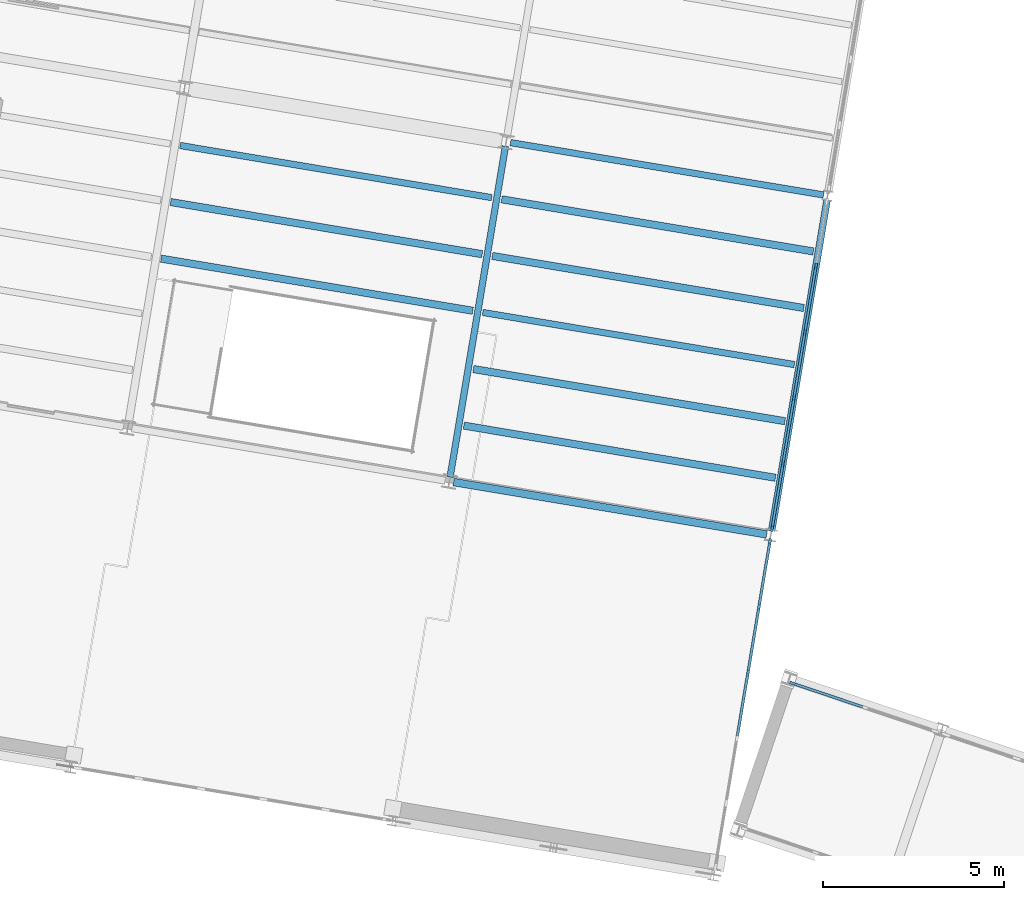
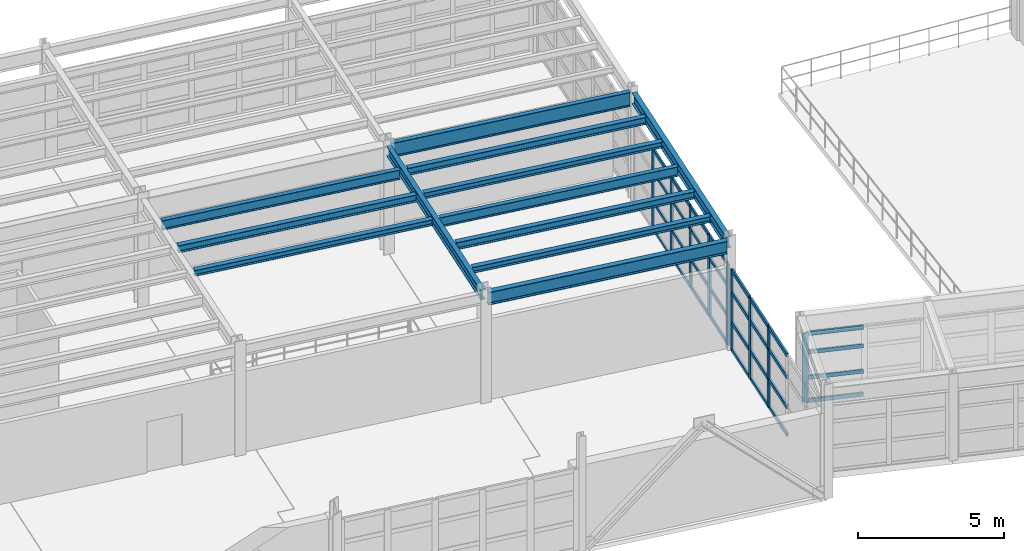
# One storey, part 42 of 102: 41 members, 12 beams, 3 elements without a shape of their own.
"""IFC4 building model written with IfcOpenShell, lengths in metres."""

from ifc_helpers import new_model, si_unit, direction, frame, origin, origin_2d, place, context, subcontext, project, spatial, rectangle, i_section, extrude, material, layer, layer_set, material_profile, profile_set, type_object, element, aggregate, save


model = new_model("IFC4")

# Units and contexts
model_context = context("Model", 3, precision=1e-05, world=origin(), true_north=direction((0.0, 1.0)))
body_context = subcontext(model_context, "Body", "Model", "MODEL_VIEW")
ifc_project = project(units=[si_unit("LENGTHUNIT", "METRE"), si_unit("AREAUNIT", "SQUARE_METRE"), si_unit("VOLUMEUNIT", "CUBIC_METRE"), si_unit("PLANEANGLEUNIT", "RADIAN"), si_unit("MASSUNIT", "GRAM", prefix="KILO")], contexts=[model_context])

# Site, building, storey
site_placement = place(None, origin())
site = spatial("IfcSite", under=ifc_project, at=site_placement, CompositionType="ELEMENT")
building_placement = place(site_placement, origin())
building = spatial("IfcBuilding", under=site, at=building_placement, Name="Vireo Bluff Cable Station", CompositionType="ELEMENT")
storey_placement = place(building_placement, frame((0.0, 0.0, 9.60009765625)))
storey = spatial("IfcBuildingStorey", under=building, at=storey_placement, Name="L02", CompositionType="ELEMENT", Elevation=9.60009765625)

# Beam
ifc_material_1 = material(Name="Steel ASTM A992 Gr. 50", Category="steel")
ifc_material_profile_1 = material_profile(ifc_material_1, i_section(OverallWidth=0.180908203125, OverallDepth=0.4169921875, WebThickness=0.010986328125, FlangeThickness=0.018310546875, FilletRadius=0.010009765625, at=origin_2d()), Name="W16X57")
ifc_profile_set_1 = profile_set([ifc_material_profile_1], Name="Steel ASTM A992 Gr. 50")
beam_type_1 = type_object("IfcBeamType", Name="BM-W16X57", PredefinedType="BEAM", material=ifc_profile_set_1)
beam_1_placement = place(storey_placement, frame((42.593994140625, 75.04638671875, 4.331298828125), z_axis=(0.165044536891, 0.986286115102, 0.0), x_axis=(-0.986286115102, 0.165044536891, 0.0)))
element("IfcBeam", 1, at=beam_1_placement, inside=storey, type_object=beam_type_1, Name="V4 L02 beam 1026", PredefinedType="BEAM", context=body_context, shape_type="SweptSolid", body=[
    extrude(i_section(OverallWidth=0.180908203125, OverallDepth=0.4169921875, WebThickness=0.010986328125, FlangeThickness=0.018310546875, FilletRadius=0.010009765625, at=origin_2d()), origin(), (0.0, 0.0, 1.0), 9.260009765625),
])

# Curtain wall, members
ifc_material_2 = material(Name="Anodized Aluminium 6063-T6", Category="aluminium")
ifc_layer_1 = layer(ifc_material_2, 0.159912109375, Name="Anodized Aluminium 6063-T6")
ifc_layer_set_1 = layer_set([ifc_layer_1], Name="Anodized Aluminium 6063-T6")
curtain_wall_type_1 = type_object("IfcCurtainWallType", Name="CW-STICK-1750", PredefinedType="USERDEFINED", material=ifc_layer_set_1)
curtain_wall_1_placement = place(storey_placement, origin())
curtain_wall_1 = element("IfcCurtainWall", 2, at=curtain_wall_1_placement, inside=storey, type_object=curtain_wall_type_1, Name="V4 L02 east curtain wall CW-104", ObjectType="STICK CURTAIN WALL", PredefinedType="USERDEFINED")
ifc_material_profile_2 = material_profile(ifc_material_2, rectangle(XDim=0.06494140625, YDim=0.179931640625, at=origin_2d()), Name="ALU-M-65X180")
ifc_profile_set_2 = profile_set([ifc_material_profile_2], Name="Anodized Aluminium 6063-T6")
member_type_1 = type_object("IfcMemberType", Name="CWM-01", PredefinedType="MULLION", material=ifc_profile_set_2)
member_1_placement = place(storey_placement, frame((52.69287109375, 80.86474609375, 0.0), z_axis=(0.0, 0.0, 1.0), x_axis=(0.986285611291, -0.165047547574, 0.0)))
member_1 = element("IfcMember", 3, at=member_1_placement, type_object=member_type_1, Name="CW-104 mullion 2", PredefinedType="MULLION", context=body_context, shape_type="SweptSolid", body=[
    extrude(rectangle(XDim=0.06494140625, YDim=0.179931640625, at=origin_2d()), origin(), (0.0, 0.0, 1.0), 3.39990234375),
])
member_2_placement = place(storey_placement, frame((52.38916015625, 79.049560546875, 0.0), z_axis=(0.0, 0.0, 1.0), x_axis=(0.986285611291, -0.165047547574, 0.0)))
member_2 = element("IfcMember", 4, at=member_2_placement, type_object=member_type_1, Name="CW-104 mullion 3", PredefinedType="MULLION", context=body_context, shape_type="SweptSolid", body=[
    extrude(rectangle(XDim=0.06494140625, YDim=0.179931640625, at=origin_2d()), origin(), (0.0, 0.0, 1.0), 3.39990234375),
])
member_3_placement = place(storey_placement, frame((52.08544921875, 77.234375, 0.0), z_axis=(0.0, 0.0, 1.0), x_axis=(0.986285611291, -0.165047547574, 0.0)))
member_3 = element("IfcMember", 5, at=member_3_placement, type_object=member_type_1, Name="CW-104 mullion 4", PredefinedType="MULLION", context=body_context, shape_type="SweptSolid", body=[
    extrude(rectangle(XDim=0.06494140625, YDim=0.179931640625, at=origin_2d()), origin(), (0.0, 0.0, 1.0), 3.39990234375),
])
member_4_placement = place(storey_placement, frame((51.781494140625, 75.419189453125, 0.0), z_axis=(0.0, 0.0, 1.0), x_axis=(0.986285611291, -0.165047547574, 0.0)))
member_4 = element("IfcMember", 6, at=member_4_placement, type_object=member_type_1, Name="CW-104 mullion 5", PredefinedType="MULLION", context=body_context, shape_type="SweptSolid", body=[
    extrude(rectangle(XDim=0.06494140625, YDim=0.179931640625, at=origin_2d()), origin(), (0.0, 0.0, 1.0), 3.39990234375),
])
member_5_placement = place(storey_placement, frame((51.483154296875, 73.635986328125, 0.0), z_axis=(0.0, 0.0, 1.0), x_axis=(0.986285611291, -0.165047547574, 0.0)))
member_5 = element("IfcMember", 7, at=member_5_placement, type_object=member_type_1, Name="CW-104 mullion 6", PredefinedType="MULLION", context=body_context, shape_type="SweptSolid", body=[
    extrude(rectangle(XDim=0.06494140625, YDim=0.179931640625, at=origin_2d()), origin(), (0.0, 0.0, 1.0), 3.39990234375),
])

ifc_layer_2 = layer(ifc_material_2, 0.159912109375, Name="Anodized Aluminium 6063-T6")
ifc_layer_set_2 = layer_set([ifc_layer_2], Name="Anodized Aluminium 6063-T6")
curtain_wall_type_2 = type_object("IfcCurtainWallType", Name="CW-STICK-1850", PredefinedType="USERDEFINED", material=ifc_layer_set_2)
curtain_wall_2_placement = place(storey_placement, origin())
curtain_wall_2 = element("IfcCurtainWall", 8, at=curtain_wall_2_placement, inside=storey, type_object=curtain_wall_type_2, Name="V4 L02 east curtain wall CW-105", ObjectType="STICK CURTAIN WALL", PredefinedType="USERDEFINED")
ifc_material_profile_3 = material_profile(ifc_material_2, rectangle(XDim=0.074951171875, YDim=0.2099609375, at=origin_2d()), Name="ALU-M-75X210")
ifc_profile_set_3 = profile_set([ifc_material_profile_3], Name="Anodized Aluminium 6063-T6")
member_type_2 = type_object("IfcMemberType", Name="CWM-02", PredefinedType="MULLION", material=ifc_profile_set_3)
member_6_placement = place(storey_placement, frame((51.417724609375, 73.244384765625, 0.0), z_axis=(0.0, 0.0, 1.0), x_axis=(0.986285608364, -0.165047565064, 0.0)))
member_6 = element("IfcMember", 9, at=member_6_placement, type_object=member_type_2, Name="CW-105 mullion 1", PredefinedType="MULLION", context=body_context, shape_type="SweptSolid", body=[
    extrude(rectangle(XDim=0.074951171875, YDim=0.2099609375, at=origin_2d()), origin(), (0.0, 0.0, 1.0), 3.39990234375),
])
member_7_placement = place(storey_placement, frame((51.12109375, 71.472900390625, 0.0), z_axis=(0.0, 0.0, 1.0), x_axis=(0.986285608364, -0.165047565064, 0.0)))
member_7 = element("IfcMember", 10, at=member_7_placement, type_object=member_type_2, Name="CW-105 mullion 2", PredefinedType="MULLION", context=body_context, shape_type="SweptSolid", body=[
    extrude(rectangle(XDim=0.074951171875, YDim=0.2099609375, at=origin_2d()), origin(), (0.0, 0.0, 1.0), 3.39990234375),
])
member_8_placement = place(storey_placement, frame((50.818603515625, 69.664306640625, 0.0), z_axis=(0.0, 0.0, 1.0), x_axis=(0.986285608364, -0.165047565064, 0.0)))
member_8 = element("IfcMember", 11, at=member_8_placement, type_object=member_type_2, Name="CW-105 mullion 3", PredefinedType="MULLION", context=body_context, shape_type="SweptSolid", body=[
    extrude(rectangle(XDim=0.074951171875, YDim=0.2099609375, at=origin_2d()), origin(), (0.0, 0.0, 1.0), 3.39990234375),
])

# Curtain wall, member
curtain_wall_3_placement = place(storey_placement, origin())
curtain_wall_3 = element("IfcCurtainWall", 12, at=curtain_wall_3_placement, inside=storey, type_object=curtain_wall_type_2, Name="SKYBR L02 CABIN-TRANSFER-1R curtain wall CW-141", ObjectType="STICK CURTAIN WALL", PredefinedType="USERDEFINED")
member_9_placement = place(storey_placement, frame((52.0703125, 69.344970703125, 0.0), z_axis=(0.0, 0.0, 1.0), x_axis=(0.317927251237, 0.948115110586, 0.0)))
member_9 = element("IfcMember", 13, at=member_9_placement, type_object=member_type_2, Name="CW-141 mullion 1", PredefinedType="MULLION", context=body_context, shape_type="SweptSolid", body=[
    extrude(rectangle(XDim=0.074951171875, YDim=0.2099609375, at=origin_2d()), origin(), (0.0, 0.0, 1.0), 2.8798828125),
])

# Member
ifc_material_profile_4 = material_profile(ifc_material_2, rectangle(XDim=0.06494140625, YDim=0.139892578125, at=origin_2d()), Name="ALU-T-65X140")
ifc_profile_set_4 = profile_set([ifc_material_profile_4], Name="Anodized Aluminium 6063-T6")
member_type_3 = type_object("IfcMemberType", Name="CWT-01", PredefinedType="USERDEFINED", material=ifc_profile_set_4)
member_10_placement = place(storey_placement, frame((52.6875, 80.832763671875, 0.032470703125), z_axis=(-0.165000987315, -0.986293401674, 0.0), x_axis=(0.986293401674, -0.165000987315, 0.0)))
member_10 = element("IfcMember", 14, at=member_10_placement, type_object=member_type_3, Name="CW-104 transom 2.1", ObjectType="TRANSOM", PredefinedType="USERDEFINED", context=body_context, shape_type="SweptSolid", body=[
    extrude(rectangle(XDim=0.06494140625, YDim=0.139892578125, at=origin_2d()), origin(), (0.0, 0.0, 1.0), 1.775634765625),
])

member_11_placement = place(storey_placement, frame((52.6875, 80.832763671875, 1.18994140625), z_axis=(-0.165000987315, -0.986293401674, 0.0), x_axis=(0.986293401674, -0.165000987315, 0.0)))
member_11 = element("IfcMember", 15, at=member_11_placement, type_object=member_type_3, Name="CW-104 transom 2.2", ObjectType="TRANSOM", PredefinedType="USERDEFINED", context=body_context, shape_type="SweptSolid", body=[
    extrude(rectangle(XDim=0.06494140625, YDim=0.139892578125, at=origin_2d()), origin(), (0.0, 0.0, 1.0), 1.775634765625),
])

member_12_placement = place(storey_placement, frame((52.6875, 80.832763671875, 2.447998046875), z_axis=(-0.165000987315, -0.986293401674, 0.0), x_axis=(0.986293401674, -0.165000987315, 0.0)))
member_12 = element("IfcMember", 16, at=member_12_placement, type_object=member_type_3, Name="CW-104 transom 2.3", ObjectType="TRANSOM", PredefinedType="USERDEFINED", context=body_context, shape_type="SweptSolid", body=[
    extrude(rectangle(XDim=0.06494140625, YDim=0.139892578125, at=origin_2d()), origin(), (0.0, 0.0, 1.0), 1.775634765625),
])

member_13_placement = place(storey_placement, frame((52.6875, 80.832763671875, 3.367431640625), z_axis=(-0.165000987315, -0.986293401674, 0.0), x_axis=(0.986293401674, -0.165000987315, 0.0)))
member_13 = element("IfcMember", 17, at=member_13_placement, type_object=member_type_3, Name="CW-104 transom 2.4", ObjectType="TRANSOM", PredefinedType="USERDEFINED", context=body_context, shape_type="SweptSolid", body=[
    extrude(rectangle(XDim=0.06494140625, YDim=0.139892578125, at=origin_2d()), origin(), (0.0, 0.0, 1.0), 1.775634765625),
])

member_14_placement = place(storey_placement, frame((52.3837890625, 79.017578125, 0.032470703125), z_axis=(-0.16513474008, -0.986271016313, 0.0), x_axis=(0.986271016313, -0.16513474008, 0.0)))
member_14 = element("IfcMember", 18, at=member_14_placement, type_object=member_type_3, Name="CW-104 transom 3.1", ObjectType="TRANSOM", PredefinedType="USERDEFINED", context=body_context, shape_type="SweptSolid", body=[
    extrude(rectangle(XDim=0.06494140625, YDim=0.139892578125, at=origin_2d()), origin(), (0.0, 0.0, 1.0), 1.775634765625),
])

member_15_placement = place(storey_placement, frame((52.3837890625, 79.017578125, 1.18994140625), z_axis=(-0.16513474008, -0.986271016313, 0.0), x_axis=(0.986271016313, -0.16513474008, 0.0)))
member_15 = element("IfcMember", 19, at=member_15_placement, type_object=member_type_3, Name="CW-104 transom 3.2", ObjectType="TRANSOM", PredefinedType="USERDEFINED", context=body_context, shape_type="SweptSolid", body=[
    extrude(rectangle(XDim=0.06494140625, YDim=0.139892578125, at=origin_2d()), origin(), (0.0, 0.0, 1.0), 1.775634765625),
])

member_16_placement = place(storey_placement, frame((52.3837890625, 79.017578125, 2.447998046875), z_axis=(-0.16513474008, -0.986271016313, 0.0), x_axis=(0.986271016313, -0.16513474008, 0.0)))
member_16 = element("IfcMember", 20, at=member_16_placement, type_object=member_type_3, Name="CW-104 transom 3.3", ObjectType="TRANSOM", PredefinedType="USERDEFINED", context=body_context, shape_type="SweptSolid", body=[
    extrude(rectangle(XDim=0.06494140625, YDim=0.139892578125, at=origin_2d()), origin(), (0.0, 0.0, 1.0), 1.775634765625),
])

member_17_placement = place(storey_placement, frame((52.3837890625, 79.017578125, 3.367431640625), z_axis=(-0.16513474008, -0.986271016313, 0.0), x_axis=(0.986271016313, -0.16513474008, 0.0)))
member_17 = element("IfcMember", 21, at=member_17_placement, type_object=member_type_3, Name="CW-104 transom 3.4", ObjectType="TRANSOM", PredefinedType="USERDEFINED", context=body_context, shape_type="SweptSolid", body=[
    extrude(rectangle(XDim=0.06494140625, YDim=0.139892578125, at=origin_2d()), origin(), (0.0, 0.0, 1.0), 1.775634765625),
])

member_18_placement = place(storey_placement, frame((52.080078125, 77.202392578125, 0.032470703125), z_axis=(-0.16513474008, -0.986271016313, 0.0), x_axis=(0.986271016313, -0.16513474008, 0.0)))
member_18 = element("IfcMember", 22, at=member_18_placement, type_object=member_type_3, Name="CW-104 transom 4.1", ObjectType="TRANSOM", PredefinedType="USERDEFINED", context=body_context, shape_type="SweptSolid", body=[
    extrude(rectangle(XDim=0.06494140625, YDim=0.139892578125, at=origin_2d()), origin(), (0.0, 0.0, 1.0), 1.775634765625),
])

member_19_placement = place(storey_placement, frame((52.080078125, 77.202392578125, 1.18994140625), z_axis=(-0.16513474008, -0.986271016313, 0.0), x_axis=(0.986271016313, -0.16513474008, 0.0)))
member_19 = element("IfcMember", 23, at=member_19_placement, type_object=member_type_3, Name="CW-104 transom 4.2", ObjectType="TRANSOM", PredefinedType="USERDEFINED", context=body_context, shape_type="SweptSolid", body=[
    extrude(rectangle(XDim=0.06494140625, YDim=0.139892578125, at=origin_2d()), origin(), (0.0, 0.0, 1.0), 1.775634765625),
])

member_20_placement = place(storey_placement, frame((52.080078125, 77.202392578125, 2.447998046875), z_axis=(-0.16513474008, -0.986271016313, 0.0), x_axis=(0.986271016313, -0.16513474008, 0.0)))
member_20 = element("IfcMember", 24, at=member_20_placement, type_object=member_type_3, Name="CW-104 transom 4.3", ObjectType="TRANSOM", PredefinedType="USERDEFINED", context=body_context, shape_type="SweptSolid", body=[
    extrude(rectangle(XDim=0.06494140625, YDim=0.139892578125, at=origin_2d()), origin(), (0.0, 0.0, 1.0), 1.775634765625),
])

member_21_placement = place(storey_placement, frame((52.080078125, 77.202392578125, 3.367431640625), z_axis=(-0.16513474008, -0.986271016313, 0.0), x_axis=(0.986271016313, -0.16513474008, 0.0)))
member_21 = element("IfcMember", 25, at=member_21_placement, type_object=member_type_3, Name="CW-104 transom 4.4", ObjectType="TRANSOM", PredefinedType="USERDEFINED", context=body_context, shape_type="SweptSolid", body=[
    extrude(rectangle(XDim=0.06494140625, YDim=0.139892578125, at=origin_2d()), origin(), (0.0, 0.0, 1.0), 1.775634765625),
])

member_22_placement = place(storey_placement, frame((51.776123046875, 75.386962890625, 0.032470703125), z_axis=(-0.165012271453, -0.986291513839, 0.0), x_axis=(0.986291513839, -0.165012271453, 0.0)))
member_22 = element("IfcMember", 26, at=member_22_placement, type_object=member_type_3, Name="CW-104 transom 5.1", ObjectType="TRANSOM", PredefinedType="USERDEFINED", context=body_context, shape_type="SweptSolid", body=[
    extrude(rectangle(XDim=0.06494140625, YDim=0.139892578125, at=origin_2d()), origin(), (0.0, 0.0, 1.0), 1.742919921875),
])

member_23_placement = place(storey_placement, frame((51.776123046875, 75.386962890625, 1.18994140625), z_axis=(-0.165012271453, -0.986291513839, 0.0), x_axis=(0.986291513839, -0.165012271453, 0.0)))
member_23 = element("IfcMember", 27, at=member_23_placement, type_object=member_type_3, Name="CW-104 transom 5.2", ObjectType="TRANSOM", PredefinedType="USERDEFINED", context=body_context, shape_type="SweptSolid", body=[
    extrude(rectangle(XDim=0.06494140625, YDim=0.139892578125, at=origin_2d()), origin(), (0.0, 0.0, 1.0), 1.742919921875),
])

member_24_placement = place(storey_placement, frame((51.776123046875, 75.386962890625, 2.447998046875), z_axis=(-0.165012271453, -0.986291513839, 0.0), x_axis=(0.986291513839, -0.165012271453, 0.0)))
member_24 = element("IfcMember", 28, at=member_24_placement, type_object=member_type_3, Name="CW-104 transom 5.3", ObjectType="TRANSOM", PredefinedType="USERDEFINED", context=body_context, shape_type="SweptSolid", body=[
    extrude(rectangle(XDim=0.06494140625, YDim=0.139892578125, at=origin_2d()), origin(), (0.0, 0.0, 1.0), 1.742919921875),
])

member_25_placement = place(storey_placement, frame((51.776123046875, 75.386962890625, 3.367431640625), z_axis=(-0.165012271453, -0.986291513839, 0.0), x_axis=(0.986291513839, -0.165012271453, 0.0)))
member_25 = element("IfcMember", 29, at=member_25_placement, type_object=member_type_3, Name="CW-104 transom 5.4", ObjectType="TRANSOM", PredefinedType="USERDEFINED", context=body_context, shape_type="SweptSolid", body=[
    extrude(rectangle(XDim=0.06494140625, YDim=0.139892578125, at=origin_2d()), origin(), (0.0, 0.0, 1.0), 1.742919921875),
])

aggregate(curtain_wall_1, [member_1, member_2, member_3, member_4, member_5, member_10, member_11, member_12, member_13, member_14, member_15, member_16, member_17, member_18, member_19, member_20, member_21, member_22, member_23, member_24, member_25])

ifc_material_profile_5 = material_profile(ifc_material_2, rectangle(XDim=0.074951171875, YDim=0.159912109375, at=origin_2d()), Name="ALU-T-75X160")
ifc_profile_set_5 = profile_set([ifc_material_profile_5], Name="Anodized Aluminium 6063-T6")
member_type_4 = type_object("IfcMemberType", Name="CWT-02", PredefinedType="USERDEFINED", material=ifc_profile_set_5)
member_26_placement = place(storey_placement, frame((51.411376953125, 73.207275390625, 0.037353515625), z_axis=(-0.164974035598, -0.986297910156, 0.0), x_axis=(0.986297910156, -0.164974035598, 0.0)))
member_26 = element("IfcMember", 30, at=member_26_placement, type_object=member_type_4, Name="CW-105 transom 1.1", ObjectType="TRANSOM", PredefinedType="USERDEFINED", context=body_context, shape_type="SweptSolid", body=[
    extrude(rectangle(XDim=0.074951171875, YDim=0.159912109375, at=origin_2d()), origin(), (0.0, 0.0, 1.0), 1.72119140625),
])

member_27_placement = place(storey_placement, frame((51.411376953125, 73.207275390625, 1.18994140625), z_axis=(-0.164974035598, -0.986297910156, 0.0), x_axis=(0.986297910156, -0.164974035598, 0.0)))
member_27 = element("IfcMember", 31, at=member_27_placement, type_object=member_type_4, Name="CW-105 transom 1.2", ObjectType="TRANSOM", PredefinedType="USERDEFINED", context=body_context, shape_type="SweptSolid", body=[
    extrude(rectangle(XDim=0.074951171875, YDim=0.159912109375, at=origin_2d()), origin(), (0.0, 0.0, 1.0), 1.72119140625),
])

member_28_placement = place(storey_placement, frame((51.411376953125, 73.207275390625, 2.447998046875), z_axis=(-0.164974035598, -0.986297910156, 0.0), x_axis=(0.986297910156, -0.164974035598, 0.0)))
member_28 = element("IfcMember", 32, at=member_28_placement, type_object=member_type_4, Name="CW-105 transom 1.3", ObjectType="TRANSOM", PredefinedType="USERDEFINED", context=body_context, shape_type="SweptSolid", body=[
    extrude(rectangle(XDim=0.074951171875, YDim=0.159912109375, at=origin_2d()), origin(), (0.0, 0.0, 1.0), 1.72119140625),
])

member_29_placement = place(storey_placement, frame((51.411376953125, 73.207275390625, 3.3623046875), z_axis=(-0.164974035598, -0.986297910156, 0.0), x_axis=(0.986297910156, -0.164974035598, 0.0)))
member_29 = element("IfcMember", 33, at=member_29_placement, type_object=member_type_4, Name="CW-105 transom 1.4", ObjectType="TRANSOM", PredefinedType="USERDEFINED", context=body_context, shape_type="SweptSolid", body=[
    extrude(rectangle(XDim=0.074951171875, YDim=0.159912109375, at=origin_2d()), origin(), (0.0, 0.0, 1.0), 1.72119140625),
])

member_30_placement = place(storey_placement, frame((51.114990234375, 71.435791015625, 0.037353515625), z_axis=(-0.165074360419, -0.986281123987, 0.0), x_axis=(0.986281123987, -0.165074360419, 0.0)))
member_30 = element("IfcMember", 34, at=member_30_placement, type_object=member_type_4, Name="CW-105 transom 2.1", ObjectType="TRANSOM", PredefinedType="USERDEFINED", context=body_context, shape_type="SweptSolid", body=[
    extrude(rectangle(XDim=0.074951171875, YDim=0.159912109375, at=origin_2d()), origin(), (0.0, 0.0, 1.0), 1.758544921875),
])

member_31_placement = place(storey_placement, frame((51.114990234375, 71.435791015625, 1.18994140625), z_axis=(-0.165074360419, -0.986281123987, 0.0), x_axis=(0.986281123987, -0.165074360419, 0.0)))
member_31 = element("IfcMember", 35, at=member_31_placement, type_object=member_type_4, Name="CW-105 transom 2.2", ObjectType="TRANSOM", PredefinedType="USERDEFINED", context=body_context, shape_type="SweptSolid", body=[
    extrude(rectangle(XDim=0.074951171875, YDim=0.159912109375, at=origin_2d()), origin(), (0.0, 0.0, 1.0), 1.758544921875),
])

member_32_placement = place(storey_placement, frame((51.114990234375, 71.435791015625, 2.447998046875), z_axis=(-0.165074360419, -0.986281123987, 0.0), x_axis=(0.986281123987, -0.165074360419, 0.0)))
member_32 = element("IfcMember", 36, at=member_32_placement, type_object=member_type_4, Name="CW-105 transom 2.3", ObjectType="TRANSOM", PredefinedType="USERDEFINED", context=body_context, shape_type="SweptSolid", body=[
    extrude(rectangle(XDim=0.074951171875, YDim=0.159912109375, at=origin_2d()), origin(), (0.0, 0.0, 1.0), 1.758544921875),
])

member_33_placement = place(storey_placement, frame((51.114990234375, 71.435791015625, 3.3623046875), z_axis=(-0.165074360419, -0.986281123987, 0.0), x_axis=(0.986281123987, -0.165074360419, 0.0)))
member_33 = element("IfcMember", 37, at=member_33_placement, type_object=member_type_4, Name="CW-105 transom 2.4", ObjectType="TRANSOM", PredefinedType="USERDEFINED", context=body_context, shape_type="SweptSolid", body=[
    extrude(rectangle(XDim=0.074951171875, YDim=0.159912109375, at=origin_2d()), origin(), (0.0, 0.0, 1.0), 1.758544921875),
])

member_34_placement = place(storey_placement, frame((50.812255859375, 69.62744140625, 0.037353515625), z_axis=(-0.164916721222, -0.986307495187, 0.0), x_axis=(0.986307495187, -0.164916721222, 0.0)))
member_34 = element("IfcMember", 38, at=member_34_placement, type_object=member_type_4, Name="CW-105 transom 3.1", ObjectType="TRANSOM", PredefinedType="USERDEFINED", context=body_context, shape_type="SweptSolid", body=[
    extrude(rectangle(XDim=0.074951171875, YDim=0.159912109375, at=origin_2d()), origin(), (0.0, 0.0, 1.0), 1.7587890625),
])

member_35_placement = place(storey_placement, frame((50.812255859375, 69.62744140625, 1.18994140625), z_axis=(-0.164916721222, -0.986307495187, 0.0), x_axis=(0.986307495187, -0.164916721222, 0.0)))
member_35 = element("IfcMember", 39, at=member_35_placement, type_object=member_type_4, Name="CW-105 transom 3.2", ObjectType="TRANSOM", PredefinedType="USERDEFINED", context=body_context, shape_type="SweptSolid", body=[
    extrude(rectangle(XDim=0.074951171875, YDim=0.159912109375, at=origin_2d()), origin(), (0.0, 0.0, 1.0), 1.7587890625),
])

member_36_placement = place(storey_placement, frame((50.812255859375, 69.62744140625, 2.447998046875), z_axis=(-0.164916721222, -0.986307495187, 0.0), x_axis=(0.986307495187, -0.164916721222, 0.0)))
member_36 = element("IfcMember", 40, at=member_36_placement, type_object=member_type_4, Name="CW-105 transom 3.3", ObjectType="TRANSOM", PredefinedType="USERDEFINED", context=body_context, shape_type="SweptSolid", body=[
    extrude(rectangle(XDim=0.074951171875, YDim=0.159912109375, at=origin_2d()), origin(), (0.0, 0.0, 1.0), 1.7587890625),
])

member_37_placement = place(storey_placement, frame((50.812255859375, 69.62744140625, 3.3623046875), z_axis=(-0.164916721222, -0.986307495187, 0.0), x_axis=(0.986307495187, -0.164916721222, 0.0)))
member_37 = element("IfcMember", 41, at=member_37_placement, type_object=member_type_4, Name="CW-105 transom 3.4", ObjectType="TRANSOM", PredefinedType="USERDEFINED", context=body_context, shape_type="SweptSolid", body=[
    extrude(rectangle(XDim=0.074951171875, YDim=0.159912109375, at=origin_2d()), origin(), (0.0, 0.0, 1.0), 1.7587890625),
])

aggregate(curtain_wall_2, [member_6, member_7, member_8, member_26, member_27, member_28, member_29, member_30, member_31, member_32, member_33, member_34, member_35, member_36, member_37])

member_38_placement = place(storey_placement, frame((52.10595703125, 69.333251953125, 0.037353515625), z_axis=(0.948079663149, -0.318032942199, 0.0), x_axis=(0.318032942199, 0.948079663149, 0.0)))
member_38 = element("IfcMember", 42, at=member_38_placement, type_object=member_type_4, Name="CW-141 transom 1.1", ObjectType="TRANSOM", PredefinedType="USERDEFINED", context=body_context, shape_type="SweptSolid", body=[
    extrude(rectangle(XDim=0.074951171875, YDim=0.159912109375, at=origin_2d()), origin(), (0.0, 0.0, 1.0), 1.987548828125),
])

member_39_placement = place(storey_placement, frame((52.10595703125, 69.333251953125, 1.0078125), z_axis=(0.948079663149, -0.318032942199, 0.0), x_axis=(0.318032942199, 0.948079663149, 0.0)))
member_39 = element("IfcMember", 43, at=member_39_placement, type_object=member_type_4, Name="CW-141 transom 1.2", ObjectType="TRANSOM", PredefinedType="USERDEFINED", context=body_context, shape_type="SweptSolid", body=[
    extrude(rectangle(XDim=0.074951171875, YDim=0.159912109375, at=origin_2d()), origin(), (0.0, 0.0, 1.0), 1.987548828125),
])

member_40_placement = place(storey_placement, frame((52.10595703125, 69.333251953125, 2.073486328125), z_axis=(0.948079663149, -0.318032942199, 0.0), x_axis=(0.318032942199, 0.948079663149, 0.0)))
member_40 = element("IfcMember", 44, at=member_40_placement, type_object=member_type_4, Name="CW-141 transom 1.3", ObjectType="TRANSOM", PredefinedType="USERDEFINED", context=body_context, shape_type="SweptSolid", body=[
    extrude(rectangle(XDim=0.074951171875, YDim=0.159912109375, at=origin_2d()), origin(), (0.0, 0.0, 1.0), 1.987548828125),
])

member_41_placement = place(storey_placement, frame((52.10595703125, 69.333251953125, 2.84228515625), z_axis=(0.948079663149, -0.318032942199, 0.0), x_axis=(0.318032942199, 0.948079663149, 0.0)))
member_41 = element("IfcMember", 45, at=member_41_placement, type_object=member_type_4, Name="CW-141 transom 1.4", ObjectType="TRANSOM", PredefinedType="USERDEFINED", context=body_context, shape_type="SweptSolid", body=[
    extrude(rectangle(XDim=0.074951171875, YDim=0.159912109375, at=origin_2d()), origin(), (0.0, 0.0, 1.0), 1.987548828125),
])

aggregate(curtain_wall_3, [member_9, member_38, member_39, member_40, member_41])

# Beams
ifc_material_profile_6 = material_profile(ifc_material_1, i_section(OverallWidth=0.178955078125, OverallDepth=0.60302734375, WebThickness=0.010986328125, FlangeThickness=0.014892578125, FilletRadius=0.012939453125, at=origin_2d()), Name="W24X62")
ifc_profile_set_6 = profile_set([ifc_material_profile_6], Name="Steel ASTM A992 Gr. 50")
beam_type_2 = type_object("IfcBeamType", Name="GIR-W24X62", PredefinedType="USERDEFINED", material=ifc_profile_set_6)
beam_2_placement = place(storey_placement, frame((44.260498046875, 84.27783203125, 4.23828125), z_axis=(0.986285998922, -0.165045231163, 0.0), x_axis=(0.165045231163, 0.986285998922, 0.0)))
element("IfcBeam", 46, at=beam_2_placement, inside=storey, type_object=beam_type_2, Name="V4 L02 girder 1023", ObjectType="GIRDER", PredefinedType="USERDEFINED", context=body_context, shape_type="SweptSolid", body=[
    extrude(i_section(OverallWidth=0.178955078125, OverallDepth=0.60302734375, WebThickness=0.010986328125, FlangeThickness=0.014892578125, FilletRadius=0.012939453125, at=origin_2d()), origin(), (0.0, 0.0, 1.0), 8.760009765625),
])
ifc_material_profile_7 = material_profile(ifc_material_1, i_section(OverallWidth=0.201904296875, OverallDepth=0.2470703125, WebThickness=0.00732421875, FlangeThickness=0.010986328125, FilletRadius=0.009033203125, at=origin_2d()), Name="W10X33")
ifc_profile_set_7 = profile_set([ifc_material_profile_7], Name="Steel ASTM A992 Gr. 50")
beam_type_3 = type_object("IfcBeamType", Name="JST-W10X33", PredefinedType="JOIST", material=ifc_profile_set_7)
beam_3_placement = place(storey_placement, frame((34.61962890625, 81.0751953125, 4.41650390625), z_axis=(0.986286264339, -0.165043645063, 0.0), x_axis=(0.165043645063, 0.986286264339, 0.0)))
element("IfcBeam", 47, at=beam_3_placement, inside=storey, type_object=beam_type_3, Name="V4 L02 composite joist 1030", PredefinedType="JOIST", context=body_context, shape_type="SweptSolid", body=[
    extrude(i_section(OverallWidth=0.201904296875, OverallDepth=0.2470703125, WebThickness=0.00732421875, FlangeThickness=0.010986328125, FilletRadius=0.009033203125, at=origin_2d()), origin(), (0.0, 0.0, 1.0), 8.72021484375),
])
for number, where, z_axis, x_axis, name in (
    (48, (42.9736328125, 76.466552734375, 4.41650390625), (0.98628550168, -0.165048202583, 0.0), (0.165048202583, 0.98628550168, 0.0), "V4 L02 composite joist 1038"),
    (49, (43.757568359375, 81.1513671875, 4.41650390625), (0.98628550168, -0.165048202583, 0.0), (0.165048202583, 0.98628550168, 0.0), "V4 L02 composite joist 1041"),
):
    element("IfcBeam", number, at=place(storey_placement, frame(where, z_axis=z_axis, x_axis=x_axis)), inside=storey, type_object=beam_type_3, Name=name, PredefinedType="JOIST", context=body_context, shape_type="SweptSolid", body=[
        extrude(i_section(OverallWidth=0.201904296875, OverallDepth=0.2470703125, WebThickness=0.00732421875, FlangeThickness=0.010986328125, FilletRadius=0.009033203125, at=origin_2d()), origin(), (0.0, 0.0, 1.0), 8.719970703125),
    ])
ifc_material_profile_8 = material_profile(ifc_material_1, i_section(OverallWidth=0.202880859375, OverallDepth=0.302978515625, WebThickness=0.007568359375, FlangeThickness=0.01318359375, FilletRadius=0.010009765625, at=origin_2d()), Name="W12X40")
ifc_profile_set_8 = profile_set([ifc_material_profile_8], Name="Steel ASTM A992 Gr. 50")
beam_type_4 = type_object("IfcBeamType", Name="JST-W12X40", PredefinedType="JOIST", material=ifc_profile_set_8)
beam_4_placement = place(storey_placement, frame((34.881103515625, 82.63671875, 4.388427734375), z_axis=(0.98628550168, -0.165048202583, 0.0), x_axis=(0.165048202583, 0.98628550168, 0.0)))
element("IfcBeam", 50, at=beam_4_placement, inside=storey, type_object=beam_type_4, Name="V4 L02 composite joist 1031", PredefinedType="JOIST", context=body_context, shape_type="SweptSolid", body=[
    extrude(i_section(OverallWidth=0.202880859375, OverallDepth=0.302978515625, WebThickness=0.007568359375, FlangeThickness=0.01318359375, FilletRadius=0.010009765625, at=origin_2d()), origin(), (0.0, 0.0, 1.0), 8.719970703125),
])
beam_5_placement = place(storey_placement, frame((43.23486328125, 78.028076171875, 4.388427734375), z_axis=(0.986286264339, -0.165043645063, 0.0), x_axis=(0.165043645063, 0.986286264339, 0.0)))
element("IfcBeam", 51, at=beam_5_placement, inside=storey, type_object=beam_type_4, Name="V4 L02 composite joist 1039", PredefinedType="JOIST", context=body_context, shape_type="SweptSolid", body=[
    extrude(i_section(OverallWidth=0.202880859375, OverallDepth=0.302978515625, WebThickness=0.007568359375, FlangeThickness=0.01318359375, FilletRadius=0.010009765625, at=origin_2d()), origin(), (0.0, 0.0, 1.0), 8.72021484375),
])
beam_6_placement = place(storey_placement, frame((44.01904296875, 82.712890625, 4.388427734375), z_axis=(0.98628550168, -0.165048202583, 0.0), x_axis=(0.165048202583, 0.98628550168, 0.0)))
element("IfcBeam", 52, at=beam_6_placement, inside=storey, type_object=beam_type_4, Name="V4 L02 composite joist 1042", PredefinedType="JOIST", context=body_context, shape_type="SweptSolid", body=[
    extrude(i_section(OverallWidth=0.202880859375, OverallDepth=0.302978515625, WebThickness=0.007568359375, FlangeThickness=0.01318359375, FilletRadius=0.010009765625, at=origin_2d()), origin(), (0.0, 0.0, 1.0), 8.719970703125),
])
ifc_material_profile_9 = material_profile(ifc_material_1, i_section(OverallWidth=0.177978515625, OverallDepth=0.404052734375, WebThickness=0.007568359375, FlangeThickness=0.010986328125, FilletRadius=0.010009765625, at=origin_2d()), Name="W16X36")
ifc_profile_set_9 = profile_set([ifc_material_profile_9], Name="Steel ASTM A992 Gr. 50")
beam_type_5 = type_object("IfcBeamType", Name="JST-W16X36", PredefinedType="JOIST", material=ifc_profile_set_9)
for number, where, z_axis, x_axis, name in (
    (53, (35.142333984375, 84.198486328125, 4.337890625), (0.98628550168, -0.165048202583, 0.0), (0.165048202583, 0.98628550168, 0.0), "V4 L02 composite joist 1032"),
    (54, (43.496337890625, 79.58984375, 4.337890625), (0.98628550168, -0.165048202583, 0.0), (0.165048202583, 0.98628550168, 0.0), "V4 L02 composite joist 1040"),
):
    element("IfcBeam", number, at=place(storey_placement, frame(where, z_axis=z_axis, x_axis=x_axis)), inside=storey, type_object=beam_type_5, Name=name, PredefinedType="JOIST", context=body_context, shape_type="SweptSolid", body=[
        extrude(i_section(OverallWidth=0.177978515625, OverallDepth=0.404052734375, WebThickness=0.007568359375, FlangeThickness=0.010986328125, FilletRadius=0.010009765625, at=origin_2d()), origin(), (0.0, 0.0, 1.0), 8.719970703125),
    ])
ifc_material_profile_10 = material_profile(ifc_material_1, i_section(OverallWidth=0.19091796875, OverallDepth=0.45703125, WebThickness=0.009033203125, FlangeThickness=0.014404296875, FilletRadius=0.011962890625, at=origin_2d()), Name="W18X50")
ifc_profile_set_10 = profile_set([ifc_material_profile_10], Name="Steel ASTM A992 Gr. 50")
beam_type_6 = type_object("IfcBeamType", Name="SPN-W18X50", PredefinedType="SPANDREL", material=ifc_profile_set_10)
beam_7_placement = place(storey_placement, frame((51.470703125, 73.56103515625, 4.3115234375), z_axis=(0.165048828716, 0.986285396901, 0.0), x_axis=(-0.986285396901, 0.165048828716, 0.0)))
element("IfcBeam", 55, at=beam_7_placement, inside=storey, type_object=beam_type_6, Name="V4 L02 spandrel 1028", PredefinedType="SPANDREL", context=body_context, shape_type="SweptSolid", body=[
    extrude(i_section(OverallWidth=0.19091796875, OverallDepth=0.45703125, WebThickness=0.009033203125, FlangeThickness=0.014404296875, FilletRadius=0.011962890625, at=origin_2d()), origin(), (0.0, 0.0, 1.0), 9.259765625),
])
ifc_material_profile_11 = material_profile(ifc_material_1, i_section(OverallWidth=0.2099609375, OverallDepth=0.535888671875, WebThickness=0.010986328125, FlangeThickness=0.017333984375, FilletRadius=0.012939453125, at=origin_2d()), Name="W21X68")
ifc_profile_set_11 = profile_set([ifc_material_profile_11], Name="Steel ASTM A992 Gr. 50")
beam_type_7 = type_object("IfcBeamType", Name="SPN-W21X68", PredefinedType="SPANDREL", material=ifc_profile_set_11)
beam_8_placement = place(storey_placement, frame((42.692626953125, 74.908203125, 4.27197265625), z_axis=(0.986285998922, -0.165045231163, 0.0), x_axis=(0.165045231163, 0.986285998922, 0.0)))
element("IfcBeam", 56, at=beam_8_placement, inside=storey, type_object=beam_type_7, Name="V4 L02 spandrel 1021", PredefinedType="SPANDREL", context=body_context, shape_type="SweptSolid", body=[
    extrude(i_section(OverallWidth=0.2099609375, OverallDepth=0.535888671875, WebThickness=0.010986328125, FlangeThickness=0.017333984375, FilletRadius=0.012939453125, at=origin_2d()), origin(), (0.0, 0.0, 1.0), 8.760009765625),
])

save(model, "model.ifc")
